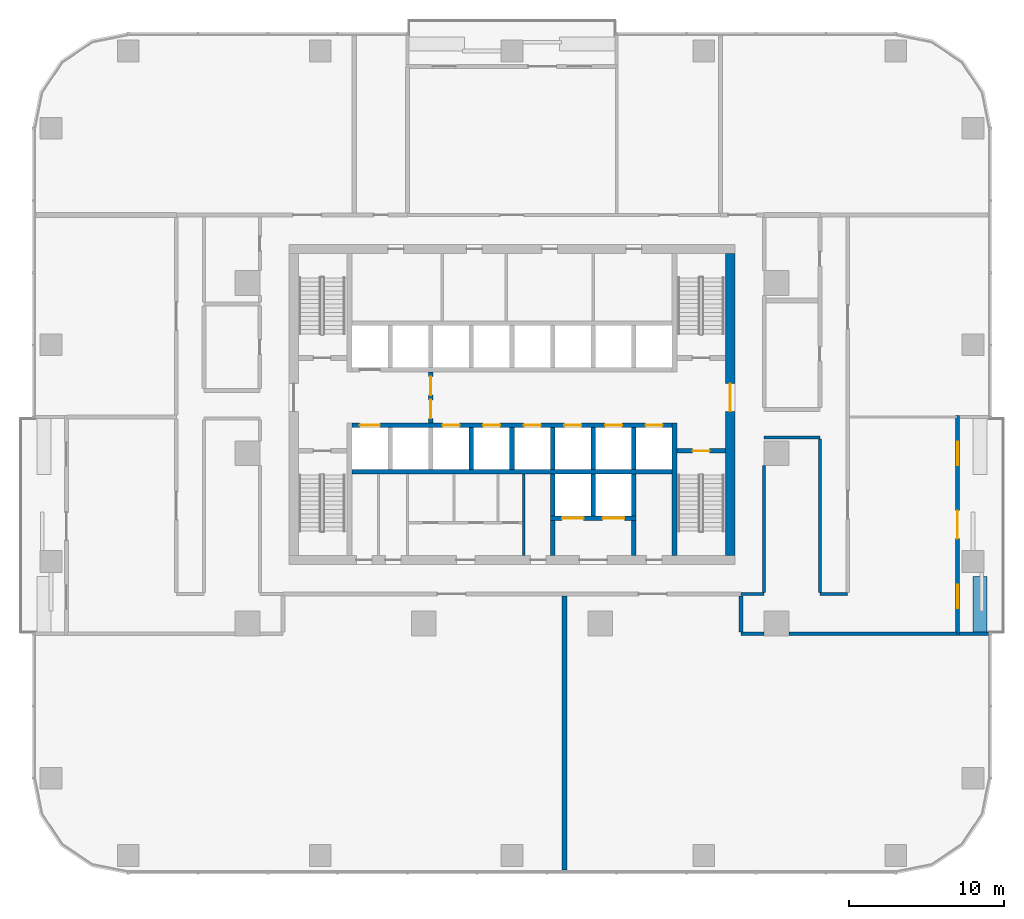
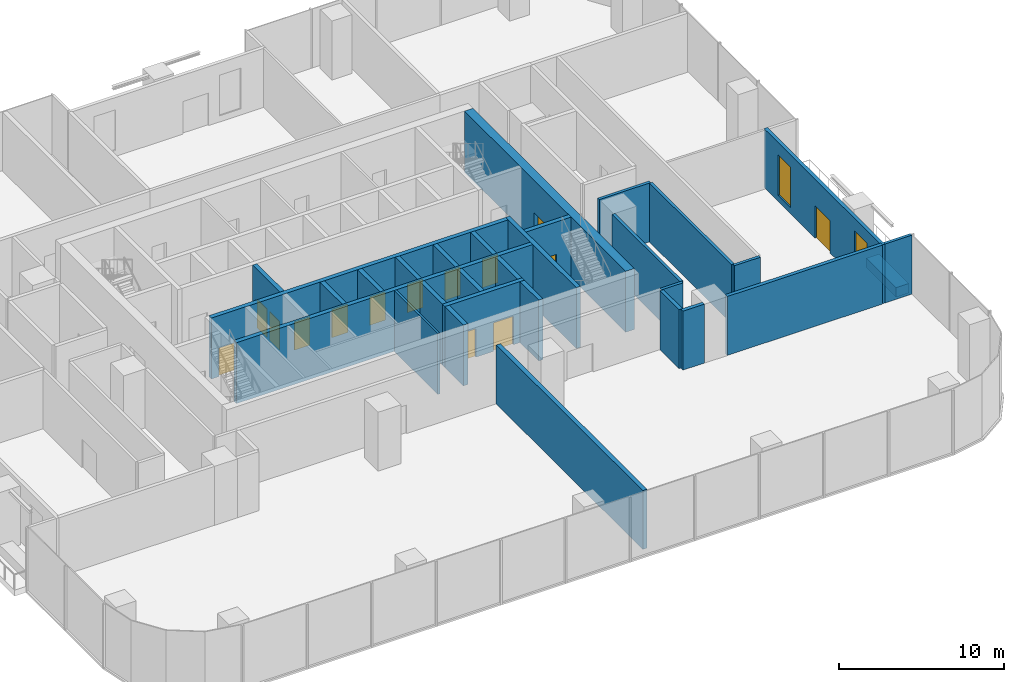
# One storey, part 8 of 14: 30 walls, 14 doors, 2 windows, 16 openings.
"""IFC4 building model written with IfcOpenShell, lengths in metres."""

from ifc_helpers import new_model, si_unit, direction, frame, frame_2d, origin, place, context, subcontext, project, spatial, rectangle, extrude, material, layer, layer_set, type_object, element, fill, save


model = new_model("IFC4")

# Units and contexts
model_context = context("Model", 3, precision=1e-05, world=origin(), true_north=direction((0.0, 1.0)))
body_context = subcontext(model_context, "Body", "Model", "MODEL_VIEW")
ifc_project = project(units=[si_unit("LENGTHUNIT", "METRE"), si_unit("AREAUNIT", "SQUARE_METRE"), si_unit("VOLUMEUNIT", "CUBIC_METRE"), si_unit("PLANEANGLEUNIT", "RADIAN"), si_unit("MASSUNIT", "GRAM", prefix="KILO")], contexts=[model_context])

# Site, building, storey
site_placement = place(None, origin())
site = spatial("IfcSite", under=ifc_project, at=site_placement, CompositionType="ELEMENT")
building_placement = place(site_placement, origin())
building = spatial("IfcBuilding", under=site, at=building_placement, Name="Mopane Tessera Tower", CompositionType="ELEMENT")
storey_placement = place(building_placement, frame((0.0, 0.0, 35.800048828125)))
storey = spatial("IfcBuildingStorey", under=building, at=storey_placement, Name="L06", CompositionType="ELEMENT", Elevation=35.800048828125)

# Wall
ifc_material_1 = material(Name="Fire-rated gypsum board partition")
ifc_layer_1 = layer(ifc_material_1, 0.14990234375)
ifc_layer_set_1 = layer_set([ifc_layer_1], Name="Fire-rated gypsum board partition")
wall_type_1 = type_object("IfcWallType", Name="Core room partition 150 mm", PredefinedType="PARTITIONING", material=ifc_layer_set_1)
wall_1_placement = place(storey_placement, frame((0.75, -6.60009765625, 0.0), z_axis=(0.0, 0.0, 1.0), x_axis=(0.0, 1.0, 0.0)))
element("IfcWall", 1, at=wall_1_placement, inside=storey, type_object=wall_type_1, Name="L06 Room partition", PredefinedType="PARTITIONING", context=body_context, shape_type="SweptSolid", body=[
    extrude(rectangle(XDim=5.25, YDim=0.14990234375, at=frame_2d((2.625, 0.0))), origin(), (0.0, 0.0, 1.0), 4.5),
])

# Wall, opening, door
ifc_material_2 = material(Name="Concrete C70/85", Category="concrete")
ifc_layer_2 = layer(ifc_material_2, 0.60009765625)
ifc_layer_set_2 = layer_set([ifc_layer_2], Name="Concrete C70/85")
wall_type_2 = type_object("IfcWallType", Name="Core shear wall 600 mm", PredefinedType="SHEAR", material=ifc_layer_set_2)
wall_2_placement = place(storey_placement, frame((14.10009765625, -6.60009765625, 0.0), z_axis=(0.0, 0.0, 1.0), x_axis=(0.0, 1.0, 0.0)))
wall_2 = element("IfcWall", 2, at=wall_2_placement, inside=storey, type_object=wall_type_2, Name="L06 Core wall east", PredefinedType="SHEAR", context=body_context, shape_type="SweptSolid", body=[
    extrude(rectangle(XDim=19.5, YDim=0.60009765625, at=frame_2d((9.75, 0.0))), origin(), (0.0, 0.0, 1.0), 4.5),
])
opening_1_placement = place(wall_2_placement, frame((9.300048828125, 0.0, 0.0)))
opening_1 = element("IfcOpeningElement", 3, at=opening_1_placement, cuts=wall_2, Name="Opening SD2", PredefinedType="OPENING", context=body_context, shape_type="SweptSolid", body=[
    extrude(rectangle(XDim=1.800048828125, YDim=2.10009765625, at=frame_2d((0.89990234375, 1.050048828125))), frame((0.0, 0.31201171875, 0.0), z_axis=(0.0, -1.0, 0.0), x_axis=(1.0, 0.0, 0.0)), (0.0, 0.0, 1.0), 0.6240234375),
])
ifc_material_3 = material(Name="Steel fire door", Category="steel")
door_type_1 = type_object("IfcDoorType", Name="Core entrance double door 1800 x 2100", OperationType="DOUBLE_DOOR_SINGLE_SWING", PredefinedType="DOOR", material=ifc_material_3)
door_1_placement = place(opening_1_placement, origin())
door_1 = element("IfcDoor", 4, at=door_1_placement, inside=storey, type_object=door_type_1, Name="L06 Core entrance door east", OperationType="DOUBLE_DOOR_SINGLE_SWING", OverallHeight=2.10009765625, OverallWidth=1.800048828125, PredefinedType="DOOR", context=body_context, shape_type="SweptSolid", body=[
    extrude(rectangle(XDim=1.800048828125, YDim=2.10009765625, at=frame_2d((0.89990234375, 1.050048828125))), frame((0.0, 0.02490234375, 0.0), z_axis=(0.0, -1.0, 0.0), x_axis=(1.0, 0.0, 0.0)), (0.0, 0.0, 1.0), 0.050048828125),
])
fill(opening_1, door_1)

# Walls
ifc_material_4 = material(Name="Concrete C60/75", Category="concrete")
ifc_layer_3 = layer(ifc_material_4, 0.300048828125)
ifc_layer_set_3 = layer_set([ifc_layer_3], Name="Concrete C60/75")
wall_type_3 = type_object("IfcWallType", Name="Core spine wall 300 mm", PredefinedType="SHEAR", material=ifc_layer_set_3)
wall_3_placement = place(storey_placement, frame((10.5, -6.60009765625, 0.0), z_axis=(0.0, 0.0, 1.0), x_axis=(0.0, 1.0, 0.0)))
element("IfcWall", 5, at=wall_3_placement, inside=storey, type_object=wall_type_3, Name="L06 Core spine wall", PredefinedType="SHEAR", context=body_context, shape_type="SweptSolid", body=[
    extrude(rectangle(XDim=8.550048828125, YDim=0.300048828125, at=frame_2d((4.27490234375, 0.0))), origin(), (0.0, 0.0, 1.0), 4.5),
])
ifc_material_5 = material(Name="Gypsum board on steel studs, two layers each face, mineral wool infill", Category="steel")
ifc_layer_4 = layer(ifc_material_5, 0.199951171875)
ifc_layer_set_4 = layer_set([ifc_layer_4], Name="Gypsum board on steel studs, two layers each face, mineral wool infill")
wall_type_4 = type_object("IfcWallType", Name="Gypsum board corridor wall 200, rated EI 60", PredefinedType="PARTITIONING", material=ifc_layer_set_4)
wall_4_placement = place(storey_placement, frame((14.800048828125, -9.10009765625, 0.0), z_axis=(0.0, 0.0, 1.0), x_axis=(1.0, 0.0, 0.0)))
element("IfcWall", 6, at=wall_4_placement, inside=storey, type_object=wall_type_4, Name="Partition L06:006", PredefinedType="PARTITIONING", context=body_context, shape_type="SweptSolid", body=[
    extrude(rectangle(XDim=1.5, YDim=0.199951171875, at=frame_2d((0.75, 0.0))), origin(), (0.0, 0.0, 1.0), 4.349853515625),
])
wall_5_placement = place(storey_placement, frame((19.89990234375, -9.10009765625, 0.0), z_axis=(0.0, 0.0, 1.0), x_axis=(1.0, 0.0, 0.0)))
element("IfcWall", 7, at=wall_5_placement, inside=storey, type_object=wall_type_4, Name="Partition L06:007", PredefinedType="PARTITIONING", context=body_context, shape_type="SweptSolid", body=[
    extrude(rectangle(XDim=1.800048828125, YDim=0.199951171875, at=frame_2d((0.89990234375, 0.0))), origin(), (0.0, 0.0, 1.0), 4.349853515625),
])
wall_6_placement = place(storey_placement, frame((16.300048828125, 1.02490234375, 0.0), z_axis=(0.0, 0.0, 1.0), x_axis=(1.0, 0.0, 0.0)))
element("IfcWall", 8, at=wall_6_placement, inside=storey, type_object=wall_type_4, Name="Partition L06:009", PredefinedType="PARTITIONING", context=body_context, shape_type="SweptSolid", body=[
    extrude(rectangle(XDim=3.599853515625, YDim=0.199951171875, at=frame_2d((1.7998046875, 0.0))), origin(), (0.0, 0.0, 1.0), 4.349853515625),
])
wall_7_placement = place(storey_placement, frame((16.300048828125, -9.0, 0.0), z_axis=(0.0, 0.0, 1.0), x_axis=(0.0, 1.0, 0.0)))
element("IfcWall", 9, at=wall_7_placement, inside=storey, type_object=wall_type_4, Name="Partition L06:040", PredefinedType="PARTITIONING", context=body_context, shape_type="SweptSolid", body=[
    extrude(rectangle(XDim=8.199951171875, YDim=0.199951171875, at=frame_2d((4.10009765625, 0.0))), origin(), (0.0, 0.0, 1.0), 4.349853515625),
])
wall_8_placement = place(storey_placement, frame((19.89990234375, -9.0, 0.0), z_axis=(0.0, 0.0, 1.0), x_axis=(0.0, 1.0, 0.0)))
element("IfcWall", 10, at=wall_8_placement, inside=storey, type_object=wall_type_4, Name="Partition L06:043", PredefinedType="PARTITIONING", context=body_context, shape_type="SweptSolid", body=[
    extrude(rectangle(XDim=9.925048828125, YDim=0.199951171875, at=frame_2d((4.96240234375, 0.0))), origin(), (0.0, 0.0, 1.0), 4.349853515625),
])

# Wall, opening, door
ifc_material_6 = material(Name="Concrete C50/60", Category="concrete")
ifc_layer_5 = layer(ifc_material_6, 0.300048828125)
ifc_layer_set_5 = layer_set([ifc_layer_5], Name="Concrete C50/60")
wall_type_5 = type_object("IfcWallType", Name="Lift and stair shaft wall 300 mm", PredefinedType="SOLIDWALL", material=ifc_layer_set_5)
wall_9_placement = place(storey_placement, frame((10.64990234375, 0.14990234375, 0.0), z_axis=(0.0, 0.0, 1.0), x_axis=(1.0, 0.0, 0.0)))
wall_9 = element("IfcWall", 11, at=wall_9_placement, inside=storey, type_object=wall_type_5, Name="L06 Stair enclosure wall", PredefinedType="SOLIDWALL", context=body_context, shape_type="SweptSolid", body=[
    extrude(rectangle(XDim=3.150146484375, YDim=0.300048828125, at=frame_2d((1.5751953125, 0.0))), origin(), (0.0, 0.0, 1.0), 4.5),
])
opening_2_placement = place(wall_9_placement, frame((1.02490234375, 0.0, 0.0)))
opening_2 = element("IfcOpeningElement", 12, at=opening_2_placement, cuts=wall_9, Name="Opening SD1", PredefinedType="OPENING", context=body_context, shape_type="SweptSolid", body=[
    extrude(rectangle(XDim=1.10009765625, YDim=2.10009765625, at=frame_2d((0.550048828125, 1.050048828125))), frame((0.0, 0.162109375, 0.0), z_axis=(0.0, -1.0, 0.0), x_axis=(1.0, 0.0, 0.0)), (0.0, 0.0, 1.0), 0.323974609375),
])
ifc_material_7 = material(Name="Steel fire door", Category="steel")
door_type_2 = type_object("IfcDoorType", Name="Stair fire door 1100 x 2100", OperationType="SINGLE_SWING_LEFT", PredefinedType="DOOR", material=ifc_material_7)
door_2_placement = place(opening_2_placement, origin())
door_2 = element("IfcDoor", 13, at=door_2_placement, inside=storey, type_object=door_type_2, Name="L06 Stair door ST3", OperationType="SINGLE_SWING_RIGHT", OverallHeight=2.10009765625, OverallWidth=1.10009765625, PredefinedType="DOOR", context=body_context, shape_type="SweptSolid", body=[
    extrude(rectangle(XDim=1.10009765625, YDim=2.10009765625, at=frame_2d((0.550048828125, 1.050048828125))), frame((0.0, 0.02490234375, 0.0), z_axis=(0.0, -1.0, 0.0), x_axis=(1.0, 0.0, 0.0)), (0.0, 0.0, 1.0), 0.050048828125),
])
fill(opening_2, door_2)

# Wall
wall_10_placement = place(storey_placement, frame((-10.35009765625, -1.199951171875, 0.0), z_axis=(0.0, 0.0, 1.0), x_axis=(1.0, 0.0, 0.0)))
element("IfcWall", 14, at=wall_10_placement, inside=storey, type_object=wall_type_5, Name="L06 Lift shaft rear wall", PredefinedType="SOLIDWALL", context=body_context, shape_type="SweptSolid", body=[
    extrude(rectangle(XDim=20.7001953125, YDim=0.300048828125, at=frame_2d((10.35009765625, 0.0))), origin(), (0.0, 0.0, 1.0), 4.5),
])

# Wall, openings, doors
wall_11_placement = place(storey_placement, frame((-10.35009765625, 1.800048828125, 0.0), z_axis=(0.0, 0.0, 1.0), x_axis=(1.0, 0.0, 0.0)))
wall_11 = element("IfcWall", 15, at=wall_11_placement, inside=storey, type_object=wall_type_5, Name="L06 Lift shaft front wall", PredefinedType="SOLIDWALL", context=body_context, shape_type="SweptSolid", body=[
    extrude(rectangle(XDim=20.7001953125, YDim=0.300048828125, at=frame_2d((10.35009765625, 0.0))), origin(), (0.0, 0.0, 1.0), 4.5),
])
opening_3_placement = place(wall_11_placement, frame((0.512451171875, 0.0, 0.0)))
opening_3 = element("IfcOpeningElement", 16, at=opening_3_placement, cuts=wall_11, Name="Opening LD2", PredefinedType="OPENING", context=body_context, shape_type="SweptSolid", body=[
    extrude(rectangle(XDim=1.300048828125, YDim=2.10009765625, at=frame_2d((0.64990234375, 1.050048828125))), frame((0.0, 0.162109375, 0.0), z_axis=(0.0, -1.0, 0.0), x_axis=(1.0, 0.0, 0.0)), (0.0, 0.0, 1.0), 0.323974609375),
])
opening_4_placement = place(wall_11_placement, frame((5.862548828125, 0.0, 0.0)))
opening_4 = element("IfcOpeningElement", 17, at=opening_4_placement, cuts=wall_11, Name="Opening LD", PredefinedType="OPENING", context=body_context, shape_type="SweptSolid", body=[
    extrude(rectangle(XDim=1.10009765625, YDim=2.10009765625, at=frame_2d((0.550048828125, 1.050048828125))), frame((0.0, 0.162109375, 0.0), z_axis=(0.0, -1.0, 0.0), x_axis=(1.0, 0.0, 0.0)), (0.0, 0.0, 1.0), 0.323974609375),
])
opening_5_placement = place(wall_11_placement, frame((8.487548828125, 0.0, 0.0)))
opening_5 = element("IfcOpeningElement", 18, at=opening_5_placement, cuts=wall_11, Name="Opening LD", PredefinedType="OPENING", context=body_context, shape_type="SweptSolid", body=[
    extrude(rectangle(XDim=1.10009765625, YDim=2.10009765625, at=frame_2d((0.550048828125, 1.050048828125))), frame((0.0, 0.162109375, 0.0), z_axis=(0.0, -1.0, 0.0), x_axis=(1.0, 0.0, 0.0)), (0.0, 0.0, 1.0), 0.323974609375),
])
opening_6_placement = place(wall_11_placement, frame((11.112548828125, 0.0, 0.0)))
opening_6 = element("IfcOpeningElement", 19, at=opening_6_placement, cuts=wall_11, Name="Opening LD", PredefinedType="OPENING", context=body_context, shape_type="SweptSolid", body=[
    extrude(rectangle(XDim=1.10009765625, YDim=2.10009765625, at=frame_2d((0.550048828125, 1.050048828125))), frame((0.0, 0.162109375, 0.0), z_axis=(0.0, -1.0, 0.0), x_axis=(1.0, 0.0, 0.0)), (0.0, 0.0, 1.0), 0.323974609375),
])
opening_7_placement = place(wall_11_placement, frame((13.737548828125, 0.0, 0.0)))
opening_7 = element("IfcOpeningElement", 20, at=opening_7_placement, cuts=wall_11, Name="Opening LD", PredefinedType="OPENING", context=body_context, shape_type="SweptSolid", body=[
    extrude(rectangle(XDim=1.10009765625, YDim=2.10009765625, at=frame_2d((0.550048828125, 1.050048828125))), frame((0.0, 0.162109375, 0.0), z_axis=(0.0, -1.0, 0.0), x_axis=(1.0, 0.0, 0.0)), (0.0, 0.0, 1.0), 0.323974609375),
])
opening_8_placement = place(wall_11_placement, frame((16.362548828125, 0.0, 0.0)))
opening_8 = element("IfcOpeningElement", 21, at=opening_8_placement, cuts=wall_11, Name="Opening LD", PredefinedType="OPENING", context=body_context, shape_type="SweptSolid", body=[
    extrude(rectangle(XDim=1.10009765625, YDim=2.10009765625, at=frame_2d((0.550048828125, 1.050048828125))), frame((0.0, 0.162109375, 0.0), z_axis=(0.0, -1.0, 0.0), x_axis=(1.0, 0.0, 0.0)), (0.0, 0.0, 1.0), 0.323974609375),
])
opening_9_placement = place(wall_11_placement, frame((18.987548828125, 0.0, 0.0)))
opening_9 = element("IfcOpeningElement", 22, at=opening_9_placement, cuts=wall_11, Name="Opening LD", PredefinedType="OPENING", context=body_context, shape_type="SweptSolid", body=[
    extrude(rectangle(XDim=1.10009765625, YDim=2.10009765625, at=frame_2d((0.550048828125, 1.050048828125))), frame((0.0, 0.162109375, 0.0), z_axis=(0.0, -1.0, 0.0), x_axis=(1.0, 0.0, 0.0)), (0.0, 0.0, 1.0), 0.323974609375),
])
ifc_material_8 = material(Name="Stainless steel sliding door", Category="steel")
door_type_3 = type_object("IfcDoorType", Name="Fire-fighting lift landing door 1300 x 2100", OperationType="DOUBLE_DOOR_SLIDING", PredefinedType="DOOR", material=ifc_material_8)
door_3_placement = place(opening_3_placement, origin())
door_3 = element("IfcDoor", 23, at=door_3_placement, inside=storey, type_object=door_type_3, Name="L06 Lift landing door FF1", OperationType="DOUBLE_DOOR_SLIDING", OverallHeight=2.10009765625, OverallWidth=1.300048828125, PredefinedType="DOOR", context=body_context, shape_type="SweptSolid", body=[
    extrude(rectangle(XDim=1.300048828125, YDim=2.10009765625, at=frame_2d((0.64990234375, 1.050048828125))), frame((0.0, 0.02490234375, 0.0), z_axis=(0.0, -1.0, 0.0), x_axis=(1.0, 0.0, 0.0)), (0.0, 0.0, 1.0), 0.050048828125),
])
fill(opening_3, door_3)
ifc_material_9 = material(Name="Stainless steel sliding door", Category="steel")
door_type_4 = type_object("IfcDoorType", Name="Lift landing door 1100 x 2100", OperationType="DOUBLE_DOOR_SLIDING", PredefinedType="DOOR", material=ifc_material_9)
door_4_placement = place(opening_4_placement, origin())
door_4 = element("IfcDoor", 24, at=door_4_placement, inside=storey, type_object=door_type_4, Name="L06 Lift landing door LR1", OperationType="DOUBLE_DOOR_SLIDING", OverallHeight=2.10009765625, OverallWidth=1.10009765625, PredefinedType="DOOR", context=body_context, shape_type="SweptSolid", body=[
    extrude(rectangle(XDim=1.10009765625, YDim=2.10009765625, at=frame_2d((0.550048828125, 1.050048828125))), frame((0.0, 0.02490234375, 0.0), z_axis=(0.0, -1.0, 0.0), x_axis=(1.0, 0.0, 0.0)), (0.0, 0.0, 1.0), 0.050048828125),
])
fill(opening_4, door_4)
door_5_placement = place(opening_5_placement, origin())
door_5 = element("IfcDoor", 25, at=door_5_placement, inside=storey, type_object=door_type_4, Name="L06 Lift landing door LR2", OperationType="DOUBLE_DOOR_SLIDING", OverallHeight=2.10009765625, OverallWidth=1.10009765625, PredefinedType="DOOR", context=body_context, shape_type="SweptSolid", body=[
    extrude(rectangle(XDim=1.10009765625, YDim=2.10009765625, at=frame_2d((0.550048828125, 1.050048828125))), frame((0.0, 0.02490234375, 0.0), z_axis=(0.0, -1.0, 0.0), x_axis=(1.0, 0.0, 0.0)), (0.0, 0.0, 1.0), 0.050048828125),
])
fill(opening_5, door_5)
door_6_placement = place(opening_6_placement, origin())
door_6 = element("IfcDoor", 26, at=door_6_placement, inside=storey, type_object=door_type_4, Name="L06 Lift landing door LR3", OperationType="DOUBLE_DOOR_SLIDING", OverallHeight=2.10009765625, OverallWidth=1.10009765625, PredefinedType="DOOR", context=body_context, shape_type="SweptSolid", body=[
    extrude(rectangle(XDim=1.10009765625, YDim=2.10009765625, at=frame_2d((0.550048828125, 1.050048828125))), frame((0.0, 0.02490234375, 0.0), z_axis=(0.0, -1.0, 0.0), x_axis=(1.0, 0.0, 0.0)), (0.0, 0.0, 1.0), 0.050048828125),
])
fill(opening_6, door_6)
door_7_placement = place(opening_7_placement, origin())
door_7 = element("IfcDoor", 27, at=door_7_placement, inside=storey, type_object=door_type_4, Name="L06 Lift landing door LR4", OperationType="DOUBLE_DOOR_SLIDING", OverallHeight=2.10009765625, OverallWidth=1.10009765625, PredefinedType="DOOR", context=body_context, shape_type="SweptSolid", body=[
    extrude(rectangle(XDim=1.10009765625, YDim=2.10009765625, at=frame_2d((0.550048828125, 1.050048828125))), frame((0.0, 0.02490234375, 0.0), z_axis=(0.0, -1.0, 0.0), x_axis=(1.0, 0.0, 0.0)), (0.0, 0.0, 1.0), 0.050048828125),
])
fill(opening_7, door_7)
door_8_placement = place(opening_8_placement, origin())
door_8 = element("IfcDoor", 28, at=door_8_placement, inside=storey, type_object=door_type_4, Name="L06 Lift landing door LR5", OperationType="DOUBLE_DOOR_SLIDING", OverallHeight=2.10009765625, OverallWidth=1.10009765625, PredefinedType="DOOR", context=body_context, shape_type="SweptSolid", body=[
    extrude(rectangle(XDim=1.10009765625, YDim=2.10009765625, at=frame_2d((0.550048828125, 1.050048828125))), frame((0.0, 0.02490234375, 0.0), z_axis=(0.0, -1.0, 0.0), x_axis=(1.0, 0.0, 0.0)), (0.0, 0.0, 1.0), 0.050048828125),
])
fill(opening_8, door_8)
door_9_placement = place(opening_9_placement, origin())
door_9 = element("IfcDoor", 29, at=door_9_placement, inside=storey, type_object=door_type_4, Name="L06 Lift landing door LR6", OperationType="DOUBLE_DOOR_SLIDING", OverallHeight=2.10009765625, OverallWidth=1.10009765625, PredefinedType="DOOR", context=body_context, shape_type="SweptSolid", body=[
    extrude(rectangle(XDim=1.10009765625, YDim=2.10009765625, at=frame_2d((0.550048828125, 1.050048828125))), frame((0.0, 0.02490234375, 0.0), z_axis=(0.0, -1.0, 0.0), x_axis=(1.0, 0.0, 0.0)), (0.0, 0.0, 1.0), 0.050048828125),
])
fill(opening_9, door_9)

# Walls
for number, where, z_axis, x_axis, name in (
    (30, (-2.625, -1.050048828125, 0.0), (0.0, 0.0, 1.0), (0.0, 1.0, 0.0), "L06 Lift shaft wall"),
    (31, (0.0, -1.050048828125, 0.0), (0.0, 0.0, 1.0), (0.0, 1.0, 0.0), "L06 Lift shaft wall"),
    (32, (2.625, -1.050048828125, 0.0), (0.0, 0.0, 1.0), (0.0, 1.0, 0.0), "L06 Lift shaft wall"),
    (33, (5.25, -1.050048828125, 0.0), (0.0, 0.0, 1.0), (0.0, 1.0, 0.0), "L06 Lift shaft wall"),
    (34, (7.875, -1.050048828125, 0.0), (0.0, 0.0, 1.0), (0.0, 1.0, 0.0), "L06 Lift shaft wall"),
):
    element("IfcWall", number, at=place(storey_placement, frame(where, z_axis=z_axis, x_axis=x_axis)), inside=storey, type_object=wall_type_5, Name=name, PredefinedType="SOLIDWALL", context=body_context, shape_type="SweptSolid", body=[
        extrude(rectangle(XDim=2.699951171875, YDim=0.300048828125, at=frame_2d((1.35009765625, 0.0))), origin(), (0.0, 0.0, 1.0), 4.5),
    ])

# Wall, openings, doors
wall_12_placement = place(storey_placement, frame((2.47509765625, -4.199951171875, 0.0), z_axis=(0.0, 0.0, 1.0), x_axis=(1.0, 0.0, 0.0)))
wall_12 = element("IfcWall", 35, at=wall_12_placement, inside=storey, type_object=wall_type_5, Name="L06 Lift shaft front wall", PredefinedType="SOLIDWALL", context=body_context, shape_type="SweptSolid", body=[
    extrude(rectangle(XDim=5.5498046875, YDim=0.300048828125, at=frame_2d((2.77490234375, 0.0))), origin(), (0.0, 0.0, 1.0), 4.5),
])
opening_10_placement = place(wall_12_placement, frame((0.762451171875, 0.0, 0.0)))
opening_10 = element("IfcOpeningElement", 36, at=opening_10_placement, cuts=wall_12, Name="Opening LD3", PredefinedType="OPENING", context=body_context, shape_type="SweptSolid", body=[
    extrude(rectangle(XDim=1.39990234375, YDim=2.10009765625, at=frame_2d((0.699951171875, 1.050048828125))), frame((0.0, 0.162109375, 0.0), z_axis=(0.0, -1.0, 0.0), x_axis=(1.0, 0.0, 0.0)), (0.0, 0.0, 1.0), 0.323974609375),
])
opening_11_placement = place(wall_12_placement, frame((3.387451171875, 0.0, 0.0)))
opening_11 = element("IfcOpeningElement", 37, at=opening_11_placement, cuts=wall_12, Name="Opening LD3", PredefinedType="OPENING", context=body_context, shape_type="SweptSolid", body=[
    extrude(rectangle(XDim=1.39990234375, YDim=2.10009765625, at=frame_2d((0.699951171875, 1.050048828125))), frame((0.0, 0.162109375, 0.0), z_axis=(0.0, -1.0, 0.0), x_axis=(1.0, 0.0, 0.0)), (0.0, 0.0, 1.0), 0.323974609375),
])
ifc_material_10 = material(Name="Stainless steel sliding door", Category="steel")
door_type_5 = type_object("IfcDoorType", Name="Service lift landing door 1400 x 2100", OperationType="DOUBLE_DOOR_SLIDING", PredefinedType="DOOR", material=ifc_material_10)
door_10_placement = place(opening_10_placement, origin())
door_10 = element("IfcDoor", 38, at=door_10_placement, inside=storey, type_object=door_type_5, Name="L06 Lift landing door SV1", OperationType="DOUBLE_DOOR_SLIDING", OverallHeight=2.10009765625, OverallWidth=1.39990234375, PredefinedType="DOOR", context=body_context, shape_type="SweptSolid", body=[
    extrude(rectangle(XDim=1.39990234375, YDim=2.10009765625, at=frame_2d((0.699951171875, 1.050048828125))), frame((0.0, 0.02490234375, 0.0), z_axis=(0.0, -1.0, 0.0), x_axis=(1.0, 0.0, 0.0)), (0.0, 0.0, 1.0), 0.050048828125),
])
fill(opening_10, door_10)
door_11_placement = place(opening_11_placement, origin())
door_11 = element("IfcDoor", 39, at=door_11_placement, inside=storey, type_object=door_type_5, Name="L06 Lift landing door SV2", OperationType="DOUBLE_DOOR_SLIDING", OverallHeight=2.10009765625, OverallWidth=1.39990234375, PredefinedType="DOOR", context=body_context, shape_type="SweptSolid", body=[
    extrude(rectangle(XDim=1.39990234375, YDim=2.10009765625, at=frame_2d((0.699951171875, 1.050048828125))), frame((0.0, 0.02490234375, 0.0), z_axis=(0.0, -1.0, 0.0), x_axis=(1.0, 0.0, 0.0)), (0.0, 0.0, 1.0), 0.050048828125),
])
fill(opening_11, door_11)

# Walls
for number, where, z_axis, x_axis, name in (
    (40, (2.625, -4.050048828125, 0.0), (0.0, 0.0, 1.0), (0.0, 1.0, 0.0), "L06 Lift shaft wall"),
    (41, (5.25, -4.050048828125, 0.0), (0.0, 0.0, 1.0), (0.0, 1.0, 0.0), "L06 Lift shaft wall"),
    (42, (7.875, -4.050048828125, 0.0), (0.0, 0.0, 1.0), (0.0, 1.0, 0.0), "L06 Lift shaft wall"),
):
    element("IfcWall", number, at=place(storey_placement, frame(where, z_axis=z_axis, x_axis=x_axis)), inside=storey, type_object=wall_type_5, Name=name, PredefinedType="SOLIDWALL", context=body_context, shape_type="SweptSolid", body=[
        extrude(rectangle(XDim=2.699951171875, YDim=0.300048828125, at=frame_2d((1.35009765625, 0.0))), origin(), (0.0, 0.0, 1.0), 4.5),
    ])

# Wall, openings, doors
ifc_material_11 = material(Name="Concrete C50/60", Category="concrete")
ifc_layer_6 = layer(ifc_material_11, 0.300048828125)
ifc_layer_set_6 = layer_set([ifc_layer_6], Name="Concrete C50/60")
wall_type_6 = type_object("IfcWallType", Name="Lobby and refuge room wall 300 mm", PredefinedType="SOLIDWALL", material=ifc_layer_set_6)
wall_13_placement = place(storey_placement, frame((-5.25, 1.949951171875, 0.0), z_axis=(0.0, 0.0, 1.0), x_axis=(0.0, 1.0, 0.0)))
wall_13 = element("IfcWall", 43, at=wall_13_placement, inside=storey, type_object=wall_type_6, Name="L06 Fire-fighting lobby wall", PredefinedType="SOLIDWALL", context=body_context, shape_type="SweptSolid", body=[
    extrude(rectangle(XDim=3.300048828125, YDim=0.300048828125, at=frame_2d((1.64990234375, 0.0))), origin(), (0.0, 0.0, 1.0), 4.5),
])
opening_12_placement = place(wall_13_placement, frame((0.300048828125, 0.0, 0.0)))
opening_12 = element("IfcOpeningElement", 44, at=opening_12_placement, cuts=wall_13, Name="Opening SD3", PredefinedType="OPENING", context=body_context, shape_type="SweptSolid", body=[
    extrude(rectangle(XDim=1.199951171875, YDim=2.10009765625, at=frame_2d((0.60009765625, 1.050048828125))), frame((0.0, 0.162109375, 0.0), z_axis=(0.0, -1.0, 0.0), x_axis=(1.0, 0.0, 0.0)), (0.0, 0.0, 1.0), 0.323974609375),
])
opening_13_placement = place(wall_13_placement, frame((1.800048828125, 0.0, 0.0)))
opening_13 = element("IfcOpeningElement", 45, at=opening_13_placement, cuts=wall_13, Name="Opening SD3", PredefinedType="OPENING", context=body_context, shape_type="SweptSolid", body=[
    extrude(rectangle(XDim=1.199951171875, YDim=2.10009765625, at=frame_2d((0.60009765625, 1.050048828125))), frame((0.0, 0.162109375, 0.0), z_axis=(0.0, -1.0, 0.0), x_axis=(1.0, 0.0, 0.0)), (0.0, 0.0, 1.0), 0.323974609375),
])
ifc_material_12 = material(Name="Steel fire door", Category="steel")
door_type_6 = type_object("IfcDoorType", Name="Lobby fire door 1200 x 2100", OperationType="SINGLE_SWING_LEFT", PredefinedType="DOOR", material=ifc_material_12)
door_12_placement = place(opening_12_placement, origin())
door_12 = element("IfcDoor", 46, at=door_12_placement, inside=storey, type_object=door_type_6, Name="L06 Fire-fighting lobby door", OperationType="SINGLE_SWING_LEFT", OverallHeight=2.10009765625, OverallWidth=1.199951171875, PredefinedType="DOOR", context=body_context, shape_type="SweptSolid", body=[
    extrude(rectangle(XDim=1.199951171875, YDim=2.10009765625, at=frame_2d((0.60009765625, 1.050048828125))), frame((0.0, 0.02490234375, 0.0), z_axis=(0.0, -1.0, 0.0), x_axis=(1.0, 0.0, 0.0)), (0.0, 0.0, 1.0), 0.050048828125),
])
fill(opening_12, door_12)
door_13_placement = place(opening_13_placement, origin())
door_13 = element("IfcDoor", 47, at=door_13_placement, inside=storey, type_object=door_type_6, Name="L06 Fire-fighting lobby door", OperationType="SINGLE_SWING_RIGHT", OverallHeight=2.10009765625, OverallWidth=1.199951171875, PredefinedType="DOOR", context=body_context, shape_type="SweptSolid", body=[
    extrude(rectangle(XDim=1.199951171875, YDim=2.10009765625, at=frame_2d((0.60009765625, 1.050048828125))), frame((0.0, 0.02490234375, 0.0), z_axis=(0.0, -1.0, 0.0), x_axis=(1.0, 0.0, 0.0)), (0.0, 0.0, 1.0), 0.050048828125),
])
fill(opening_13, door_13)

# Walls
for number, where, z_axis, x_axis, name in (
    (48, (2.625, -6.60009765625, 0.0), (0.0, 0.0, 1.0), (0.0, 1.0, 0.0), "L06 Service lobby wall"),
    (49, (7.875, -6.60009765625, 0.0), (0.0, 0.0, 1.0), (0.0, 1.0, 0.0), "L06 Service lobby wall"),
):
    element("IfcWall", number, at=place(storey_placement, frame(where, z_axis=z_axis, x_axis=x_axis)), inside=storey, type_object=wall_type_6, Name=name, PredefinedType="SOLIDWALL", context=body_context, shape_type="SweptSolid", body=[
        extrude(rectangle(XDim=2.25, YDim=0.300048828125, at=frame_2d((1.125, 0.0))), origin(), (0.0, 0.0, 1.0), 4.5),
    ])
ifc_material_13 = material(Name="Reinforced concrete C32/40 with waterproofing", Category="concrete")
ifc_layer_7 = layer(ifc_material_13, 0.89990234375)
ifc_layer_set_7 = layer_set([ifc_layer_7], Name="Reinforced concrete C32/40 with waterproofing")
wall_type_7 = type_object("IfcWallType", Name="Planter trough 3600 x 900", PredefinedType="STANDARD", material=ifc_layer_set_7)
wall_14_placement = place(storey_placement, frame((30.25, -11.566650390625, 0.0), z_axis=(0.0, 0.0, 1.0), x_axis=(0.0, 1.0, 0.0)))
element("IfcWall", 50, at=wall_14_placement, inside=storey, type_object=wall_type_7, Name="e:nw:L06:N1:pl0", PredefinedType="STANDARD", context=body_context, shape_type="SweptSolid", body=[
    extrude(rectangle(XDim=3.60009765625, YDim=0.89990234375, at=frame_2d((1.800048828125, 0.0))), origin(), (0.0, 0.0, 1.0), 0.699951171875),
])
ifc_material_14 = material(Name="Plastered concrete blockwork C20/25", Category="masonry")
ifc_layer_8 = layer(ifc_material_14, 0.300048828125)
ifc_layer_set_8 = layer_set([ifc_layer_8], Name="Plastered concrete blockwork C20/25")
wall_type_8 = type_object("IfcWallType", Name="Plastered blockwork separation wall 300, rated EI 120", PredefinedType="PARTITIONING", material=ifc_layer_set_8)
wall_15_placement = place(storey_placement, frame((3.39501953125, -26.949951171875, 0.0), z_axis=(0.0, 0.0, 1.0), x_axis=(0.0, 1.0, 0.0)))
element("IfcWall", 51, at=wall_15_placement, inside=storey, type_object=wall_type_8, Name="Partition L06:036", PredefinedType="PARTITIONING", context=body_context, shape_type="SweptSolid", body=[
    extrude(rectangle(XDim=17.724853515625, YDim=0.300048828125, at=frame_2d((8.8623046875, 0.0))), origin(), (0.0, 0.0, 1.0), 4.349853515625),
])
ifc_material_15 = material(Name="Plastered concrete blockwork C20/25", Category="masonry")
ifc_layer_9 = layer(ifc_material_15, 0.25)
ifc_layer_set_9 = layer_set([ifc_layer_9], Name="Plastered concrete blockwork C20/25")
wall_type_9 = type_object("IfcWallType", Name="Plastered blockwork wall 250, rated EI 120", PredefinedType="PARTITIONING", material=ifc_layer_set_9)
wall_16_placement = place(storey_placement, frame((14.800048828125, -11.6650390625, 0.0), z_axis=(0.0, 0.0, 1.0), x_axis=(1.0, 0.0, 0.0)))
element("IfcWall", 52, at=wall_16_placement, inside=storey, type_object=wall_type_9, Name="Partition L06:002", PredefinedType="PARTITIONING", context=body_context, shape_type="SweptSolid", body=[
    extrude(rectangle(XDim=1.5, YDim=0.25, at=frame_2d((0.75, 0.0))), origin(), (0.0, 0.0, 1.0), 4.349853515625),
])
wall_17_placement = place(storey_placement, frame((17.89990234375, -11.6650390625, 0.0), z_axis=(0.0, 0.0, 1.0), x_axis=(1.0, 0.0, 0.0)))
element("IfcWall", 53, at=wall_17_placement, inside=storey, type_object=wall_type_9, Name="Partition L06:003", PredefinedType="PARTITIONING", context=body_context, shape_type="SweptSolid", body=[
    extrude(rectangle(XDim=10.85009765625, YDim=0.25, at=frame_2d((5.425048828125, 0.0))), origin(), (0.0, 0.0, 1.0), 4.349853515625),
])
wall_18_placement = place(storey_placement, frame((14.800048828125, -11.5400390625, 0.0), z_axis=(0.0, 0.0, 1.0), x_axis=(0.0, 1.0, 0.0)))
element("IfcWall", 54, at=wall_18_placement, inside=storey, type_object=wall_type_9, Name="Partition L06:039", PredefinedType="PARTITIONING", context=body_context, shape_type="SweptSolid", body=[
    extrude(rectangle(XDim=2.31494140625, YDim=0.25, at=frame_2d((1.157470703125, 0.0))), origin(), (0.0, 0.0, 1.0), 4.349853515625),
])
ifc_material_16 = material(Name="Blockwork with glazed tile facing", Category="masonry")
ifc_layer_10 = layer(ifc_material_16, 0.199951171875)
ifc_layer_set_10 = layer_set([ifc_layer_10], Name="Blockwork with glazed tile facing")
wall_type_10 = type_object("IfcWallType", Name="Terrace cheek wall 200", PredefinedType="STANDARD", material=ifc_layer_set_10)
wall_19_placement = place(storey_placement, frame((30.800048828125, -11.666748046875, 0.0), z_axis=(0.0, 0.0, 1.0), x_axis=(-1.0, 0.0, 0.0)))
element("IfcWall", 55, at=wall_19_placement, inside=storey, type_object=wall_type_10, Name="e:nw:L06:N1:cheeka", PredefinedType="STANDARD", context=body_context, shape_type="SweptSolid", body=[
    extrude(rectangle(XDim=1.875, YDim=0.199951171875, at=frame_2d((0.9375, 0.0))), origin(), (0.0, 0.0, 1.0), 4.349853515625),
])

# Wall, openings, windows, door
ifc_material_17 = material(Name="Blockwork with ultramarine glazed tile facing", Category="masonry")
ifc_layer_11 = layer(ifc_material_17, 0.25)
ifc_layer_set_11 = layer_set([ifc_layer_11], Name="Blockwork with ultramarine glazed tile facing")
wall_type_11 = type_object("IfcWallType", Name="Tile-clad external wall 250, ultramarine", PredefinedType="STANDARD", material=ifc_layer_set_11)
wall_20_placement = place(storey_placement, frame((28.800048828125, -11.7666015625, 0.0), z_axis=(0.0, 0.0, 1.0), x_axis=(0.0, 1.0, 0.0)))
wall_20 = element("IfcWall", 56, at=wall_20_placement, inside=storey, type_object=wall_type_11, Name="e:nw:L06:N1:back", PredefinedType="STANDARD", context=body_context, shape_type="SweptSolid", body=[
    extrude(rectangle(XDim=14.199951171875, YDim=0.25, at=frame_2d((7.10009765625, 0.0))), origin(), (0.0, 0.0, 1.0), 4.349853515625),
])
opening_14_placement = place(wall_20_placement, frame((1.75, 0.0, 0.449951171875)))
opening_14 = element("IfcOpeningElement", 57, at=opening_14_placement, cuts=wall_20, Name="Opening NW061A", PredefinedType="OPENING", context=body_context, shape_type="SweptSolid", body=[
    extrude(rectangle(XDim=1.5, YDim=3.0, at=frame_2d((0.75, 1.5))), frame((0.0, 0.136962890625, 0.0), z_axis=(0.0, -1.0, 0.0), x_axis=(1.0, 0.0, 0.0)), (0.0, 0.0, 1.0), 0.27392578125),
])
opening_15_placement = place(wall_20_placement, frame((6.25, 0.0, 0.0)))
opening_15 = element("IfcOpeningElement", 58, at=opening_15_placement, cuts=wall_20, Name="Opening ND061", PredefinedType="OPENING", context=body_context, shape_type="SweptSolid", body=[
    extrude(rectangle(XDim=1.800048828125, YDim=2.39990234375, at=frame_2d((0.89990234375, 1.199951171875))), frame((0.0, 0.136962890625, 0.0), z_axis=(0.0, -1.0, 0.0), x_axis=(1.0, 0.0, 0.0)), (0.0, 0.0, 1.0), 0.27392578125),
])
opening_16_placement = place(wall_20_placement, frame((11.0, 0.0, 0.449951171875)))
opening_16 = element("IfcOpeningElement", 59, at=opening_16_placement, cuts=wall_20, Name="Opening NW061B", PredefinedType="OPENING", context=body_context, shape_type="SweptSolid", body=[
    extrude(rectangle(XDim=1.5, YDim=3.0, at=frame_2d((0.75, 1.5))), frame((0.0, 0.136962890625, 0.0), z_axis=(0.0, -1.0, 0.0), x_axis=(1.0, 0.0, 0.0)), (0.0, 0.0, 1.0), 0.27392578125),
])
ifc_material_18 = material(Name="Clear laminated glass", Category="glass")
window_type = type_object("IfcWindowType", Name="Fixed window 1500 x 3000", PartitioningType="SINGLE_PANEL", PredefinedType="WINDOW", material=ifc_material_18)
window_1_placement = place(opening_14_placement, origin())
window_1 = element("IfcWindow", 60, at=window_1_placement, inside=storey, type_object=window_type, Name="e:nw:L06:N1:win0", OverallHeight=3.0, OverallWidth=1.5, PartitioningType="SINGLE_PANEL", PredefinedType="WINDOW", context=body_context, shape_type="SweptSolid", body=[
    extrude(rectangle(XDim=1.5, YDim=3.0, at=frame_2d((0.75, 1.5))), frame((0.0, 0.030029296875, 0.0), z_axis=(0.0, -1.0, 0.0), x_axis=(1.0, 0.0, 0.0)), (0.0, 0.0, 1.0), 0.06005859375),
])
fill(opening_14, window_1)
window_2_placement = place(opening_16_placement, origin())
window_2 = element("IfcWindow", 61, at=window_2_placement, inside=storey, type_object=window_type, Name="e:nw:L06:N1:win2", OverallHeight=3.0, OverallWidth=1.5, PartitioningType="SINGLE_PANEL", PredefinedType="WINDOW", context=body_context, shape_type="SweptSolid", body=[
    extrude(rectangle(XDim=1.5, YDim=3.0, at=frame_2d((0.75, 1.5))), frame((0.0, 0.030029296875, 0.0), z_axis=(0.0, -1.0, 0.0), x_axis=(1.0, 0.0, 0.0)), (0.0, 0.0, 1.0), 0.06005859375),
])
fill(opening_16, window_2)
ifc_material_19 = material(Name="Aluminium and clear glass", Category="aluminium")
door_type_7 = type_object("IfcDoorType", Name="Terrace double door 1800 x 2400", OperationType="DOUBLE_DOOR_SINGLE_SWING", PredefinedType="DOOR", material=ifc_material_19)
door_14_placement = place(opening_15_placement, origin())
door_14 = element("IfcDoor", 62, at=door_14_placement, inside=storey, type_object=door_type_7, Name="e:nw:L06:N1:door", ObjectType="D1", OperationType="DOUBLE_DOOR_SINGLE_SWING", OverallHeight=2.39990234375, OverallWidth=1.800048828125, PredefinedType="DOOR", context=body_context, shape_type="SweptSolid", body=[
    extrude(rectangle(XDim=1.800048828125, YDim=2.39990234375, at=frame_2d((0.89990234375, 1.199951171875))), frame((0.0, 0.02490234375, 0.0), z_axis=(0.0, -1.0, 0.0), x_axis=(1.0, 0.0, 0.0)), (0.0, 0.0, 1.0), 0.050048828125),
])
fill(opening_15, door_14)

save(model, "model.ifc")
